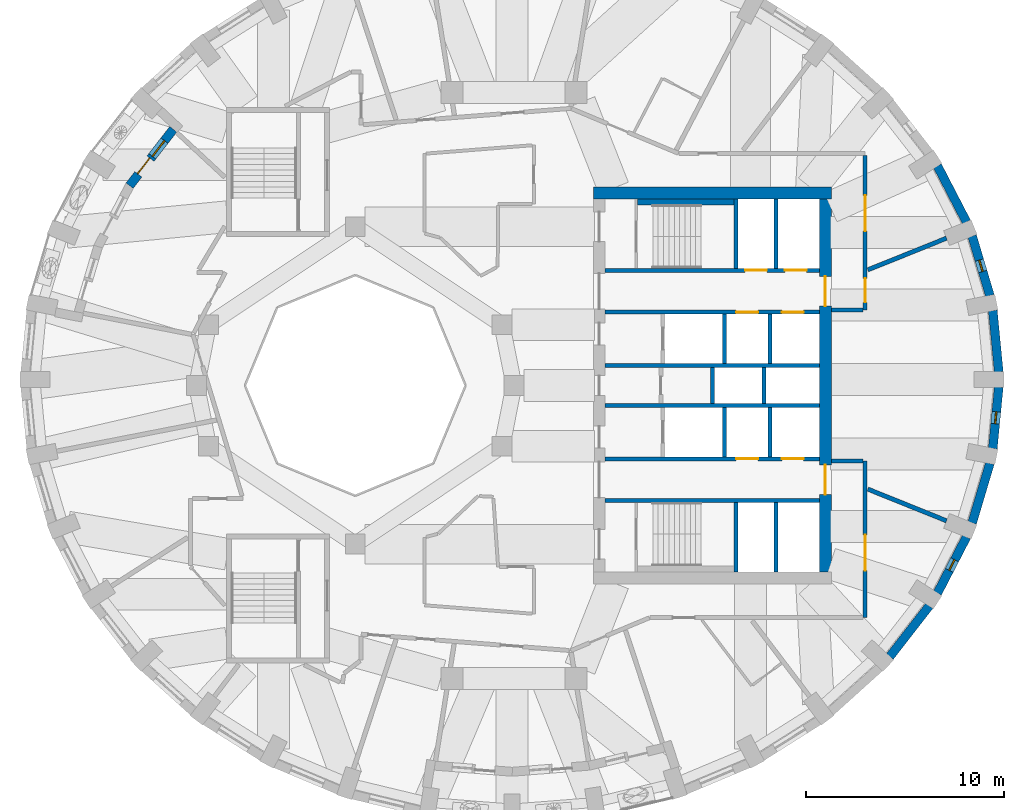
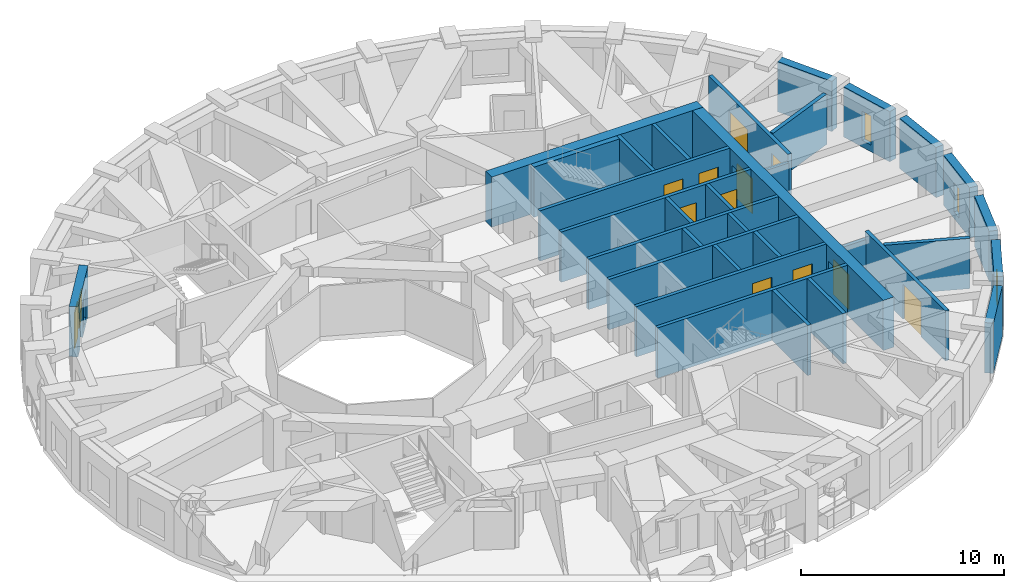
# One storey, part 6 of 12: 33 walls, 12 doors, 4 windows, 16 openings.
"""IFC4 building model written with IfcOpenShell, lengths in metres."""

from ifc_helpers import new_model, si_unit, direction, frame, frame_2d, origin, place, context, subcontext, project, spatial, rectangle, extrude, material, layer, layer_set, type_object, element, fill, save


model = new_model("IFC4")

# Units and contexts
model_context = context("Model", 3, precision=1e-05, world=origin(), true_north=direction((0.0, 1.0)))
body_context = subcontext(model_context, "Body", "Model", "MODEL_VIEW")
ifc_project = project(units=[si_unit("LENGTHUNIT", "METRE"), si_unit("AREAUNIT", "SQUARE_METRE"), si_unit("VOLUMEUNIT", "CUBIC_METRE"), si_unit("PLANEANGLEUNIT", "RADIAN"), si_unit("MASSUNIT", "GRAM", prefix="KILO")], contexts=[model_context])

# Site, building, storey
site_placement = place(None, origin())
site = spatial("IfcSite", under=ifc_project, at=site_placement, CompositionType="ELEMENT")
building_placement = place(site_placement, origin())
building = spatial("IfcBuilding", under=site, at=building_placement, Name="Taillehof Tower", CompositionType="ELEMENT")
storey_placement = place(building_placement, frame((0.0, 0.0, 246.5)))
storey = spatial("IfcBuildingStorey", under=building, at=storey_placement, Name="L70", CompositionType="ELEMENT", Elevation=246.5)

# Wall
ifc_material_1 = material(Name="Brick masonry", Category="masonry")
ifc_layer_1 = layer(ifc_material_1, 0.449951171875)
ifc_layer_set_1 = layer_set([ifc_layer_1], Name="Brick infill wall 450")
wall_type_1 = type_object("IfcWallType", Name="Brick infill wall 450", PredefinedType="SOLIDWALL", material=ifc_layer_set_1)
wall_1_placement = place(storey_placement, frame((24.43701171875, 0.68017578125, 0.0), z_axis=(0.0, 0.0, 1.0), x_axis=(-0.096740086873, 0.995309678237, 0.0)))
element("IfcWall", 1, at=wall_1_placement, inside=storey, type_object=wall_type_1, Name="Brick wall L70 bay 1", PredefinedType="SOLIDWALL", context=body_context, shape_type="SweptSolid", body=[
    extrude(rectangle(XDim=3.1142578125, YDim=0.449951171875, at=frame_2d((1.55712890625, 0.0))), origin(), (0.0, 0.0, 1.0), 3.02001953125),
])

# Wall, opening, window
wall_2_placement = place(storey_placement, frame((23.989990234375, 4.52587890625, 0.0), z_axis=(0.0, 0.0, 1.0), x_axis=(-0.285263800865, 0.958449040855, 0.0)))
wall_2 = element("IfcWall", 2, at=wall_2_placement, inside=storey, type_object=wall_type_1, Name="Brick wall L70 bay 2", PredefinedType="SOLIDWALL", context=body_context, shape_type="SweptSolid", body=[
    extrude(rectangle(XDim=3.13916015625, YDim=0.449951171875, at=frame_2d((1.569580078125, 0.0))), origin(), (0.0, 0.0, 1.0), 3.02001953125),
])
opening_1_placement = place(wall_2_placement, frame((1.26953125, 0.0, 0.39990234375)))
opening_1 = element("IfcOpeningElement", 3, at=opening_1_placement, cuts=wall_2, Name="Opening W6", PredefinedType="OPENING", context=body_context, shape_type="SweptSolid", body=[
    extrude(rectangle(XDim=0.60009765625, YDim=1.75, at=frame_2d((0.300048828125, 0.875))), frame((0.0, 0.23486328125, 0.0), z_axis=(0.0, -1.0, 0.0), x_axis=(1.0, 0.0, 0.0)), (0.0, 0.0, 1.0), 0.469970703125),
])
ifc_material_2 = material(Name="Aluminium window frame with clear double glazing", Category="aluminium")
window_type_1 = type_object("IfcWindowType", Name="Slot window 600x1750", PartitioningType="SINGLE_PANEL", PredefinedType="WINDOW", material=ifc_material_2)
window_1_placement = place(opening_1_placement, origin())
window_1 = element("IfcWindow", 4, at=window_1_placement, inside=storey, type_object=window_type_1, Name="W6", OverallHeight=1.75, OverallWidth=0.60009765625, PartitioningType="SINGLE_PANEL", PredefinedType="WINDOW", context=body_context, shape_type="SweptSolid", body=[
    extrude(rectangle(XDim=0.60009765625, YDim=1.75, at=frame_2d((0.300048828125, 0.875))), frame((0.0, 0.034912109375, 0.0), z_axis=(0.0, -1.0, 0.0), x_axis=(1.0, 0.0, 0.0)), (0.0, 0.0, 1.0), 0.06005859375),
])
fill(opening_1, window_1)

# Walls
wall_3_placement = place(storey_placement, frame((22.81005859375, 8.239501953125, 0.0), z_axis=(0.0, 0.0, 1.0), x_axis=(-0.459889857669, 0.887975967475, 0.0)))
element("IfcWall", 5, at=wall_3_placement, inside=storey, type_object=wall_type_1, Name="Brick wall L70 bay 3", PredefinedType="SOLIDWALL", context=body_context, shape_type="SweptSolid", body=[
    extrude(rectangle(XDim=3.185791015625, YDim=0.449951171875, at=frame_2d((1.5927734375, 0.0))), origin(), (0.0, 0.0, 1.0), 3.02001953125),
])
wall_4_placement = place(storey_placement, frame((18.941650390625, -13.671875, 0.0), z_axis=(0.0, 0.0, 1.0), x_axis=(0.613898970825, 0.789384604372, 0.0)))
element("IfcWall", 6, at=wall_4_placement, inside=storey, type_object=wall_type_1, Name="Brick wall L70 bay 33", PredefinedType="SOLIDWALL", context=body_context, shape_type="SweptSolid", body=[
    extrude(rectangle(XDim=3.2470703125, YDim=0.449951171875, at=frame_2d((1.62353515625, 0.0))), origin(), (0.0, 0.0, 1.0), 3.02001953125),
])

# Wall, opening, window
wall_5_placement = place(storey_placement, frame((21.344970703125, -10.46826171875, 0.0), z_axis=(0.0, 0.0, 1.0), x_axis=(0.459921155255, 0.887959757505, 0.0)))
wall_5 = element("IfcWall", 7, at=wall_5_placement, inside=storey, type_object=wall_type_1, Name="Brick wall L70 bay 34", PredefinedType="SOLIDWALL", context=body_context, shape_type="SweptSolid", body=[
    extrude(rectangle(XDim=3.185546875, YDim=0.449951171875, at=frame_2d((1.5927734375, 0.0))), origin(), (0.0, 0.0, 1.0), 3.02001953125),
])
opening_2_placement = place(wall_5_placement, frame((1.292724609375, 0.0, 0.39990234375)))
opening_2 = element("IfcOpeningElement", 8, at=opening_2_placement, cuts=wall_5, Name="Opening W6", PredefinedType="OPENING", context=body_context, shape_type="SweptSolid", body=[
    extrude(rectangle(XDim=0.60009765625, YDim=1.75, at=frame_2d((0.300048828125, 0.875))), frame((0.0, 0.23486328125, 0.0), z_axis=(0.0, -1.0, 0.0), x_axis=(1.0, 0.0, 0.0)), (0.0, 0.0, 1.0), 0.469970703125),
])
window_2_placement = place(opening_2_placement, origin())
window_2 = element("IfcWindow", 9, at=window_2_placement, inside=storey, type_object=window_type_1, Name="W6", OverallHeight=1.75, OverallWidth=0.60009765625, PartitioningType="SINGLE_PANEL", PredefinedType="WINDOW", context=body_context, shape_type="SweptSolid", body=[
    extrude(rectangle(XDim=0.60009765625, YDim=1.75, at=frame_2d((0.300048828125, 0.875))), frame((0.0, 0.034912109375, 0.0), z_axis=(0.0, -1.0, 0.0), x_axis=(1.0, 0.0, 0.0)), (0.0, 0.0, 1.0), 0.06005859375),
])
fill(opening_2, window_2)

# Wall
wall_6_placement = place(storey_placement, frame((23.094482421875, -6.9345703125, 0.0), z_axis=(0.0, 0.0, 1.0), x_axis=(0.285263800865, 0.958449040855, 0.0)))
element("IfcWall", 10, at=wall_6_placement, inside=storey, type_object=wall_type_1, Name="Brick wall L70 bay 35", PredefinedType="SOLIDWALL", context=body_context, shape_type="SweptSolid", body=[
    extrude(rectangle(XDim=3.13916015625, YDim=0.449951171875, at=frame_2d((1.569580078125, 0.0))), origin(), (0.0, 0.0, 1.0), 3.02001953125),
])

# Wall, opening, window
wall_7_placement = place(storey_placement, frame((24.1357421875, -3.179931640625, 0.0), z_axis=(0.0, 0.0, 1.0), x_axis=(0.09673253904, 0.995310411827, 0.0)))
wall_7 = element("IfcWall", 11, at=wall_7_placement, inside=storey, type_object=wall_type_1, Name="Brick wall L70 bay 36", PredefinedType="SOLIDWALL", context=body_context, shape_type="SweptSolid", body=[
    extrude(rectangle(XDim=3.114501953125, YDim=0.449951171875, at=frame_2d((1.55712890625, 0.0))), origin(), (0.0, 0.0, 1.0), 3.02001953125),
])
opening_3_placement = place(wall_7_placement, frame((1.257080078125, 0.0, 0.39990234375)))
opening_3 = element("IfcOpeningElement", 12, at=opening_3_placement, cuts=wall_7, Name="Opening W6", PredefinedType="OPENING", context=body_context, shape_type="SweptSolid", body=[
    extrude(rectangle(XDim=0.60009765625, YDim=1.75, at=frame_2d((0.300048828125, 0.875))), frame((0.0, 0.23486328125, 0.0), z_axis=(0.0, -1.0, 0.0), x_axis=(1.0, 0.0, 0.0)), (0.0, 0.0, 1.0), 0.469970703125),
])
window_3_placement = place(opening_3_placement, origin())
window_3 = element("IfcWindow", 13, at=window_3_placement, inside=storey, type_object=window_type_1, Name="W6", OverallHeight=1.75, OverallWidth=0.60009765625, PartitioningType="SINGLE_PANEL", PredefinedType="WINDOW", context=body_context, shape_type="SweptSolid", body=[
    extrude(rectangle(XDim=0.60009765625, YDim=1.75, at=frame_2d((0.300048828125, 0.875))), frame((0.0, 0.034912109375, 0.0), z_axis=(0.0, -1.0, 0.0), x_axis=(1.0, 0.0, 0.0)), (0.0, 0.0, 1.0), 0.06005859375),
])
fill(opening_3, window_3)

# Wall, openings, door, window
wall_8_placement = place(storey_placement, frame((-17.174072265625, 12.9111328125, 0.0), z_axis=(0.0, 0.0, 1.0), x_axis=(-0.612774197557, -0.79025804824, 0.0)))
wall_8 = element("IfcWall", 14, at=wall_8_placement, inside=storey, type_object=wall_type_1, Name="Brick wall L70 pocket bay 15", PredefinedType="SOLIDWALL", context=body_context, shape_type="SweptSolid", body=[
    extrude(rectangle(XDim=3.595703125, YDim=0.449951171875, at=frame_2d((1.7978515625, 0.0))), origin(), (0.0, 0.0, 1.0), 3.02001953125),
])
opening_4_placement = place(wall_8_placement, frame((0.722900390625, 0.0, 0.39990234375)))
opening_4 = element("IfcOpeningElement", 15, at=opening_4_placement, cuts=wall_8, Name="Opening W5", PredefinedType="OPENING", context=body_context, shape_type="SweptSolid", body=[
    extrude(rectangle(XDim=1.0, YDim=1.75, at=frame_2d((0.5, 0.875))), frame((0.0, 0.23486328125, 0.0), z_axis=(0.0, -1.0, 0.0), x_axis=(1.0, 0.0, 0.0)), (0.0, 0.0, 1.0), 0.469970703125),
])
opening_5_placement = place(wall_8_placement, frame((1.872802734375, 0.0, 0.0)))
opening_5 = element("IfcOpeningElement", 16, at=opening_5_placement, cuts=wall_8, Name="Opening D7094", PredefinedType="OPENING", context=body_context, shape_type="SweptSolid", body=[
    extrude(rectangle(XDim=1.0, YDim=2.14990234375, at=frame_2d((0.5, 1.074951171875))), frame((0.0, 0.23486328125, 0.0), z_axis=(0.0, -1.0, 0.0), x_axis=(1.0, 0.0, 0.0)), (0.0, 0.0, 1.0), 0.469970703125),
])
ifc_material_3 = material(Name="Aluminium door frame with clear double glazing", Category="aluminium")
door_type_1 = type_object("IfcDoorType", Name="Balcony door 1000x2150", OperationType="SINGLE_SWING_RIGHT", PredefinedType="DOOR", material=ifc_material_3)
door_1_placement = place(opening_5_placement, frame((1.0, 0.0, 0.0), z_axis=(0.0, 0.0, 1.0), x_axis=(-1.0, 0.0, 0.0)))
door_1 = element("IfcDoor", 17, at=door_1_placement, inside=storey, type_object=door_type_1, Name="Balcony door L70 bay 15", OperationType="SINGLE_SWING_RIGHT", OverallHeight=2.14990234375, OverallWidth=1.0, PredefinedType="DOOR", context=body_context, shape_type="SweptSolid", body=[
    extrude(rectangle(XDim=1.0, YDim=2.14990234375, at=frame_2d((0.5, 1.074951171875))), frame((0.0, 0.0751953125, 0.0), z_axis=(0.0, -1.0, 0.0), x_axis=(1.0, 0.0, 0.0)), (0.0, 0.0, 1.0), 0.050048828125),
])
fill(opening_5, door_1)
ifc_material_4 = material(Name="Aluminium window frame with clear double glazing", Category="aluminium")
window_type_2 = type_object("IfcWindowType", Name="Fixed window 1000x1750", PartitioningType="SINGLE_PANEL", PredefinedType="WINDOW", material=ifc_material_4)
window_4_placement = place(opening_4_placement, origin())
window_4 = element("IfcWindow", 18, at=window_4_placement, inside=storey, type_object=window_type_2, Name="W5", OverallHeight=1.75, OverallWidth=1.0, PartitioningType="SINGLE_PANEL", PredefinedType="WINDOW", context=body_context, shape_type="SweptSolid", body=[
    extrude(rectangle(XDim=1.0, YDim=1.75, at=frame_2d((0.5, 0.875))), frame((0.0, 0.034912109375, 0.0), z_axis=(0.0, -1.0, 0.0), x_axis=(1.0, 0.0, 0.0)), (0.0, 0.0, 1.0), 0.06005859375),
])
fill(opening_4, window_4)

# Walls
ifc_material_5 = material(Name="Calcium silicate masonry", Category="masonry")
ifc_layer_2 = layer(ifc_material_5, 0.199951171875)
ifc_layer_set_2 = layer_set([ifc_layer_2], Name="Compartment wall calcium silicate 200")
wall_type_2 = type_object("IfcWallType", Name="Compartment wall calcium silicate 200", PredefinedType="PARTITIONING", material=ifc_layer_set_2)
for number, where, z_axis, x_axis, name in (
    (19, (10.0, -0.89990234375, 0.0), (0.0, 0.0, 1.0), (0.0, 1.0, 0.0), "Compartment wall FW"),
    (20, (12.60009765625, -0.89990234375, 0.0), (0.0, 0.0, 1.0), (0.0, 1.0, 0.0), "Compartment wall FW"),
):
    element("IfcWall", number, at=place(storey_placement, frame(where, z_axis=z_axis, x_axis=x_axis)), inside=storey, type_object=wall_type_2, Name=name, PredefinedType="PARTITIONING", context=body_context, shape_type="SweptSolid", body=[
        extrude(rectangle(XDim=1.7998046875, YDim=0.199951171875, at=frame_2d((0.89990234375, 0.0))), origin(), (0.0, 0.0, 1.0), 3.02001953125),
    ])

# Wall, opening, door
ifc_material_6 = material(Name="Gypsum board on steel studs, two layers each side", Category="steel")
ifc_layer_3 = layer(ifc_material_6, 0.199951171875)
ifc_layer_set_3 = layer_set([ifc_layer_3], Name="Compartment wall corridor 200")
wall_type_3 = type_object("IfcWallType", Name="Compartment wall corridor 200", PredefinedType="PARTITIONING", material=ifc_layer_set_3)
wall_9_placement = place(storey_placement, frame((17.699951171875, -3.800048828125, 0.0), z_axis=(0.0, 0.0, 1.0), x_axis=(0.0, -1.0, 0.0)))
wall_9 = element("IfcWall", 21, at=wall_9_placement, inside=storey, type_object=wall_type_3, Name="Compartment wall", PredefinedType="PARTITIONING", context=body_context, shape_type="SweptSolid", body=[
    extrude(rectangle(XDim=7.89990234375, YDim=0.199951171875, at=frame_2d((3.949951171875, 0.0))), origin(), (0.0, 0.0, 1.0), 3.02001953125),
])
opening_6_placement = place(wall_9_placement, frame((3.72998046875, 0.0, 0.0)))
opening_6 = element("IfcOpeningElement", 22, at=opening_6_placement, cuts=wall_9, Name="Opening D7056", PredefinedType="OPENING", context=body_context, shape_type="SweptSolid", body=[
    extrude(rectangle(XDim=1.800048828125, YDim=2.10009765625, at=frame_2d((0.89990234375, 1.050048828125))), frame((0.0, 0.10986328125, 0.0), z_axis=(0.0, -1.0, 0.0), x_axis=(1.0, 0.0, 0.0)), (0.0, 0.0, 1.0), 0.219970703125),
])
ifc_material_7 = material(Name="Timber door leaf in steel frame", Category="steel")
door_type_2 = type_object("IfcDoorType", Name="Lounge and meeting room double door EI 30 1800 x 2100", OperationType="SINGLE_SWING_LEFT", PredefinedType="DOOR", material=ifc_material_7)
door_2_placement = place(opening_6_placement, origin())
door_2 = element("IfcDoor", 23, at=door_2_placement, inside=storey, type_object=door_type_2, Name="D7056", OperationType="DOUBLE_DOOR_SINGLE_SWING", OverallHeight=2.10009765625, OverallWidth=1.800048828125, PredefinedType="DOOR", context=body_context, shape_type="SweptSolid", body=[
    extrude(rectangle(XDim=1.800048828125, YDim=2.10009765625, at=frame_2d((0.89990234375, 1.050048828125))), frame((0.0, 0.02490234375, 0.0), z_axis=(0.0, -1.0, 0.0), x_axis=(1.0, 0.0, 0.0)), (0.0, 0.0, 1.0), 0.050048828125),
])
fill(opening_6, door_2)

# Wall, openings, doors
wall_10_placement = place(storey_placement, frame((17.699951171875, 11.599853515625, 0.0), z_axis=(0.0, 0.0, 1.0), x_axis=(0.0, -1.0, 0.0)))
wall_10 = element("IfcWall", 24, at=wall_10_placement, inside=storey, type_object=wall_type_3, Name="Compartment wall", PredefinedType="PARTITIONING", context=body_context, shape_type="SweptSolid", body=[
    extrude(rectangle(XDim=7.7998046875, YDim=0.199951171875, at=frame_2d((3.89990234375, 0.0))), origin(), (0.0, 0.0, 1.0), 3.02001953125),
])
opening_7_placement = place(wall_10_placement, frame((6.208984375, 0.0, 0.0)))
opening_7 = element("IfcOpeningElement", 25, at=opening_7_placement, cuts=wall_10, Name="Opening D7057", PredefinedType="OPENING", context=body_context, shape_type="SweptSolid", body=[
    extrude(rectangle(XDim=1.199951171875, YDim=2.10009765625, at=frame_2d((0.60009765625, 1.050048828125))), frame((0.0, 0.10986328125, 0.0), z_axis=(0.0, -1.0, 0.0), x_axis=(1.0, 0.0, 0.0)), (0.0, 0.0, 1.0), 0.219970703125),
])
opening_8_placement = place(wall_10_placement, frame((2.02001953125, 0.0, 0.0)))
opening_8 = element("IfcOpeningElement", 26, at=opening_8_placement, cuts=wall_10, Name="Opening D7058", PredefinedType="OPENING", context=body_context, shape_type="SweptSolid", body=[
    extrude(rectangle(XDim=1.800048828125, YDim=2.10009765625, at=frame_2d((0.89990234375, 1.050048828125))), frame((0.0, 0.10986328125, 0.0), z_axis=(0.0, -1.0, 0.0), x_axis=(1.0, 0.0, 0.0)), (0.0, 0.0, 1.0), 0.219970703125),
])
door_3_placement = place(opening_8_placement, origin())
door_3 = element("IfcDoor", 27, at=door_3_placement, inside=storey, type_object=door_type_2, Name="D7058", OperationType="DOUBLE_DOOR_SINGLE_SWING", OverallHeight=2.10009765625, OverallWidth=1.800048828125, PredefinedType="DOOR", context=body_context, shape_type="SweptSolid", body=[
    extrude(rectangle(XDim=1.800048828125, YDim=2.10009765625, at=frame_2d((0.89990234375, 1.050048828125))), frame((0.0, 0.02490234375, 0.0), z_axis=(0.0, -1.0, 0.0), x_axis=(1.0, 0.0, 0.0)), (0.0, 0.0, 1.0), 0.050048828125),
])
fill(opening_8, door_3)
ifc_material_8 = material(Name="Timber door leaf in steel frame", Category="steel")
door_type_3 = type_object("IfcDoorType", Name="Suite entrance door EI 30 1200 x 2100", OperationType="SINGLE_SWING_LEFT", PredefinedType="DOOR", material=ifc_material_8)
door_4_placement = place(opening_7_placement, origin())
door_4 = element("IfcDoor", 28, at=door_4_placement, inside=storey, type_object=door_type_3, Name="D7057", OperationType="SINGLE_SWING_LEFT", OverallHeight=2.10009765625, OverallWidth=1.199951171875, PredefinedType="DOOR", context=body_context, shape_type="SweptSolid", body=[
    extrude(rectangle(XDim=1.199951171875, YDim=2.10009765625, at=frame_2d((0.60009765625, 1.050048828125))), frame((0.0, 0.02490234375, 0.0), z_axis=(0.0, -1.0, 0.0), x_axis=(1.0, 0.0, 0.0)), (0.0, 0.0, 1.0), 0.050048828125),
])
fill(opening_7, door_4)

# Walls
for number, where, z_axis, x_axis, name in (
    (29, (17.599853515625, 3.800048828125, 0.0), (0.0, 0.0, 1.0), (-1.0, 0.0, 0.0), "Compartment wall"),
    (30, (16.00390625, -3.800048828125, 0.0), (0.0, 0.0, 1.0), (1.0, 0.0, 0.0), "Compartment wall"),
):
    element("IfcWall", number, at=place(storey_placement, frame(where, z_axis=z_axis, x_axis=x_axis)), inside=storey, type_object=wall_type_3, Name=name, PredefinedType="PARTITIONING", context=body_context, shape_type="SweptSolid", body=[
        extrude(rectangle(XDim=1.595947265625, YDim=0.199951171875, at=frame_2d((0.7978515625, 0.0))), origin(), (0.0, 0.0, 1.0), 2.570068359375),
    ])
ifc_material_9 = material(Name="Gypsum board on double steel studs with mineral wool", Category="steel")
ifc_layer_4 = layer(ifc_material_9, 0.219970703125)
ifc_layer_set_4 = layer_set([ifc_layer_4], Name="Compartment wall guest room 220")
wall_type_4 = type_object("IfcWallType", Name="Compartment wall guest room 220", PredefinedType="PARTITIONING", material=ifc_layer_set_4)
for number, where, z_axis, x_axis, name in (
    (31, (21.803955078125, 7.42431640625, 0.0), (0.0, 0.0, 1.0), (-0.927552565226, -0.373692706301, 0.0), "Compartment wall"),
    (32, (21.803955078125, -6.824462890625, 0.0), (0.0, 0.0, 1.0), (-0.92753277681, 0.373741819902, 0.0), "Compartment wall"),
):
    element("IfcWall", number, at=place(storey_placement, frame(where, z_axis=z_axis, x_axis=x_axis)), inside=storey, type_object=wall_type_4, Name=name, PredefinedType="PARTITIONING", context=body_context, shape_type="SweptSolid", body=[
        extrude(rectangle(XDim=4.276611328125, YDim=0.219970703125, at=frame_2d((2.13818359375, 0.0))), origin(), (0.0, 0.0, 1.0), 3.02001953125),
    ])
ifc_material_10 = material(Name="Calcium silicate masonry", Category="masonry")
ifc_layer_5 = layer(ifc_material_10, 0.300048828125)
ifc_layer_set_5 = layer_set([ifc_layer_5], Name="Compartment wall lining calcium silicate 300")
wall_type_5 = type_object("IfcWallType", Name="Compartment wall lining calcium silicate 300", PredefinedType="PARTITIONING", material=ifc_layer_set_5)
wall_11_placement = place(storey_placement, frame((6.219970703125, 9.25, 0.0), z_axis=(0.0, 0.0, 1.0), x_axis=(1.0, 0.0, 0.0)))
element("IfcWall", 33, at=wall_11_placement, inside=storey, type_object=wall_type_5, Name="Compartment wall FW", PredefinedType="PARTITIONING", context=body_context, shape_type="SweptSolid", body=[
    extrude(rectangle(XDim=4.880126953125, YDim=0.300048828125, at=frame_2d((2.43994140625, 0.0))), origin(), (0.0, 0.0, 1.0), 3.02001953125),
])

# Wall, openings, doors
ifc_material_11 = material(Name="Concrete C80/95", Category="concrete")
ifc_layer_6 = layer(ifc_material_11, 0.60009765625)
ifc_layer_set_6 = layer_set([ifc_layer_6], Name="Core wall C80/95 600")
wall_type_6 = type_object("IfcWallType", Name="Core wall C80/95 600", PredefinedType="SHEAR", material=ifc_layer_set_6)
wall_12_placement = place(storey_placement, frame((15.699951171875, -9.39990234375, 0.0), z_axis=(0.0, 0.0, 1.0), x_axis=(0.0, 1.0, 0.0)))
wall_12 = element("IfcWall", 34, at=wall_12_placement, inside=storey, type_object=wall_type_6, Name="Core wall CW05", PredefinedType="SHEAR", context=body_context, shape_type="SweptSolid", body=[
    extrude(rectangle(XDim=18.7998046875, YDim=0.60009765625, at=frame_2d((9.39990234375, 0.0))), origin(), (0.0, 0.0, 1.0), 3.02001953125),
])
opening_9_placement = place(wall_12_placement, frame((13.39990234375, 0.0, 0.0)))
opening_9 = element("IfcOpeningElement", 35, at=opening_9_placement, cuts=wall_12, Name="Opening D7008", PredefinedType="OPENING", context=body_context, shape_type="SweptSolid", body=[
    extrude(rectangle(XDim=1.5, YDim=2.10009765625, at=frame_2d((0.75, 1.050048828125))), frame((0.0, 0.31005859375, 0.0), z_axis=(0.0, -1.0, 0.0), x_axis=(1.0, 0.0, 0.0)), (0.0, 0.0, 1.0), 0.6201171875),
])
opening_10_placement = place(wall_12_placement, frame((3.89990234375, 0.0, 0.0)))
opening_10 = element("IfcOpeningElement", 36, at=opening_10_placement, cuts=wall_12, Name="Opening D7009", PredefinedType="OPENING", context=body_context, shape_type="SweptSolid", body=[
    extrude(rectangle(XDim=1.5, YDim=2.10009765625, at=frame_2d((0.75, 1.050048828125))), frame((0.0, 0.31005859375, 0.0), z_axis=(0.0, -1.0, 0.0), x_axis=(1.0, 0.0, 0.0)), (0.0, 0.0, 1.0), 0.6201171875),
])
ifc_material_12 = material(Name="Steel-faced fire door", Category="steel")
door_type_4 = type_object("IfcDoorType", Name="Lift lobby east door 1500x2100", OperationType="DOUBLE_DOOR_SINGLE_SWING", PredefinedType="DOOR", material=ifc_material_12)
door_5_placement = place(opening_9_placement, origin())
door_5 = element("IfcDoor", 37, at=door_5_placement, inside=storey, type_object=door_type_4, Name="Lift lobby east door north", OperationType="DOUBLE_DOOR_SINGLE_SWING", OverallHeight=2.10009765625, OverallWidth=1.5, PredefinedType="DOOR", context=body_context, shape_type="SweptSolid", body=[
    extrude(rectangle(XDim=1.5, YDim=2.10009765625, at=frame_2d((0.75, 1.050048828125))), frame((0.0, 0.02490234375, 0.0), z_axis=(0.0, -1.0, 0.0), x_axis=(1.0, 0.0, 0.0)), (0.0, 0.0, 1.0), 0.050048828125),
])
fill(opening_9, door_5)
door_6_placement = place(opening_10_placement, origin())
door_6 = element("IfcDoor", 38, at=door_6_placement, inside=storey, type_object=door_type_4, Name="Lift lobby east door south", OperationType="DOUBLE_DOOR_SINGLE_SWING", OverallHeight=2.10009765625, OverallWidth=1.5, PredefinedType="DOOR", context=body_context, shape_type="SweptSolid", body=[
    extrude(rectangle(XDim=1.5, YDim=2.10009765625, at=frame_2d((0.75, 1.050048828125))), frame((0.0, 0.02490234375, 0.0), z_axis=(0.0, -1.0, 0.0), x_axis=(1.0, 0.0, 0.0)), (0.0, 0.0, 1.0), 0.050048828125),
])
fill(opening_10, door_6)

# Wall
wall_13_placement = place(storey_placement, frame((4.0, 9.699951171875, 0.0), z_axis=(0.0, 0.0, 1.0), x_axis=(1.0, 0.0, 0.0)))
element("IfcWall", 39, at=wall_13_placement, inside=storey, type_object=wall_type_6, Name="Core wall CW06", PredefinedType="SHEAR", context=body_context, shape_type="SweptSolid", body=[
    extrude(rectangle(XDim=12.0, YDim=0.60009765625, at=frame_2d((6.0, 0.0))), origin(), (0.0, 0.0, 1.0), 3.02001953125),
])

# Wall, openings, doors
ifc_material_13 = material(Name="Concrete C50/60", Category="concrete")
ifc_layer_7 = layer(ifc_material_13, 0.199951171875)
ifc_layer_set_7 = layer_set([ifc_layer_7], Name="Shaft wall C50/60 200")
wall_type_7 = type_object("IfcWallType", Name="Shaft wall C50/60 200", PredefinedType="SHEAR", material=ifc_layer_set_7)
wall_14_placement = place(storey_placement, frame((4.60009765625, 5.800048828125, 0.0), z_axis=(0.0, 0.0, 1.0), x_axis=(1.0, 0.0, 0.0)))
wall_14 = element("IfcWall", 40, at=wall_14_placement, inside=storey, type_object=wall_type_7, Name="Shaft wall SW", PredefinedType="SHEAR", context=body_context, shape_type="SweptSolid", body=[
    extrude(rectangle(XDim=10.7998046875, YDim=0.199951171875, at=frame_2d((5.39990234375, 0.0))), origin(), (0.0, 0.0, 1.0), 3.02001953125),
])
opening_11_placement = place(wall_14_placement, frame((7.050048828125, 0.0, 0.0)))
opening_11 = element("IfcOpeningElement", 41, at=opening_11_placement, cuts=wall_14, Name="Opening LD1", PredefinedType="OPENING", context=body_context, shape_type="SweptSolid", body=[
    extrude(rectangle(XDim=1.10009765625, YDim=2.10009765625, at=frame_2d((0.550048828125, 1.050048828125))), frame((0.0, 0.10986328125, 0.0), z_axis=(0.0, -1.0, 0.0), x_axis=(1.0, 0.0, 0.0)), (0.0, 0.0, 1.0), 0.219970703125),
])
opening_12_placement = place(wall_14_placement, frame((9.050048828125, 0.0, 0.0)))
opening_12 = element("IfcOpeningElement", 42, at=opening_12_placement, cuts=wall_14, Name="Opening LD1", PredefinedType="OPENING", context=body_context, shape_type="SweptSolid", body=[
    extrude(rectangle(XDim=1.10009765625, YDim=2.10009765625, at=frame_2d((0.550048828125, 1.050048828125))), frame((0.0, 0.10986328125, 0.0), z_axis=(0.0, -1.0, 0.0), x_axis=(1.0, 0.0, 0.0)), (0.0, 0.0, 1.0), 0.219970703125),
])
ifc_material_14 = material(Name="Stainless steel", Category="steel")
door_type_5 = type_object("IfcDoorType", Name="Lift landing door LD1 1100x2100", OperationType="DOUBLE_DOOR_SLIDING", PredefinedType="DOOR", material=ifc_material_14)
door_7_placement = place(opening_11_placement, origin())
door_7 = element("IfcDoor", 43, at=door_7_placement, inside=storey, type_object=door_type_5, Name="Landing door HR1", OperationType="DOUBLE_DOOR_SLIDING", OverallHeight=2.10009765625, OverallWidth=1.10009765625, PredefinedType="DOOR", context=body_context, shape_type="SweptSolid", body=[
    extrude(rectangle(XDim=1.10009765625, YDim=2.10009765625, at=frame_2d((0.550048828125, 1.050048828125))), frame((0.0, 0.02490234375, 0.0), z_axis=(0.0, -1.0, 0.0), x_axis=(1.0, 0.0, 0.0)), (0.0, 0.0, 1.0), 0.050048828125),
])
fill(opening_11, door_7)
door_8_placement = place(opening_12_placement, origin())
door_8 = element("IfcDoor", 44, at=door_8_placement, inside=storey, type_object=door_type_5, Name="Landing door HR2", OperationType="DOUBLE_DOOR_SLIDING", OverallHeight=2.10009765625, OverallWidth=1.10009765625, PredefinedType="DOOR", context=body_context, shape_type="SweptSolid", body=[
    extrude(rectangle(XDim=1.10009765625, YDim=2.10009765625, at=frame_2d((0.550048828125, 1.050048828125))), frame((0.0, 0.02490234375, 0.0), z_axis=(0.0, -1.0, 0.0), x_axis=(1.0, 0.0, 0.0)), (0.0, 0.0, 1.0), 0.050048828125),
])
fill(opening_12, door_8)

wall_15_placement = place(storey_placement, frame((4.60009765625, 3.699951171875, 0.0), z_axis=(0.0, 0.0, 1.0), x_axis=(1.0, 0.0, 0.0)))
wall_15 = element("IfcWall", 45, at=wall_15_placement, inside=storey, type_object=wall_type_7, Name="Shaft wall SW", PredefinedType="SHEAR", context=body_context, shape_type="SweptSolid", body=[
    extrude(rectangle(XDim=10.7998046875, YDim=0.199951171875, at=frame_2d((5.39990234375, 0.0))), origin(), (0.0, 0.0, 1.0), 3.02001953125),
])
opening_13_placement = place(wall_15_placement, frame((6.60009765625, 0.0, 0.0)))
opening_13 = element("IfcOpeningElement", 46, at=opening_13_placement, cuts=wall_15, Name="Opening LD1", PredefinedType="OPENING", context=body_context, shape_type="SweptSolid", body=[
    extrude(rectangle(XDim=1.10009765625, YDim=2.10009765625, at=frame_2d((0.550048828125, 1.050048828125))), frame((0.0, 0.10986328125, 0.0), z_axis=(0.0, -1.0, 0.0), x_axis=(1.0, 0.0, 0.0)), (0.0, 0.0, 1.0), 0.219970703125),
])
opening_14_placement = place(wall_15_placement, frame((8.89990234375, 0.0, 0.0)))
opening_14 = element("IfcOpeningElement", 47, at=opening_14_placement, cuts=wall_15, Name="Opening LD1", PredefinedType="OPENING", context=body_context, shape_type="SweptSolid", body=[
    extrude(rectangle(XDim=1.10009765625, YDim=2.10009765625, at=frame_2d((0.550048828125, 1.050048828125))), frame((0.0, 0.10986328125, 0.0), z_axis=(0.0, -1.0, 0.0), x_axis=(1.0, 0.0, 0.0)), (0.0, 0.0, 1.0), 0.219970703125),
])
door_9_placement = place(opening_13_placement, origin())
door_9 = element("IfcDoor", 48, at=door_9_placement, inside=storey, type_object=door_type_5, Name="Landing door HR3", OperationType="DOUBLE_DOOR_SLIDING", OverallHeight=2.10009765625, OverallWidth=1.10009765625, PredefinedType="DOOR", context=body_context, shape_type="SweptSolid", body=[
    extrude(rectangle(XDim=1.10009765625, YDim=2.10009765625, at=frame_2d((0.550048828125, 1.050048828125))), frame((0.0, 0.02490234375, 0.0), z_axis=(0.0, -1.0, 0.0), x_axis=(1.0, 0.0, 0.0)), (0.0, 0.0, 1.0), 0.050048828125),
])
fill(opening_13, door_9)
door_10_placement = place(opening_14_placement, origin())
door_10 = element("IfcDoor", 49, at=door_10_placement, inside=storey, type_object=door_type_5, Name="Landing door HR4", OperationType="DOUBLE_DOOR_SLIDING", OverallHeight=2.10009765625, OverallWidth=1.10009765625, PredefinedType="DOOR", context=body_context, shape_type="SweptSolid", body=[
    extrude(rectangle(XDim=1.10009765625, YDim=2.10009765625, at=frame_2d((0.550048828125, 1.050048828125))), frame((0.0, 0.02490234375, 0.0), z_axis=(0.0, -1.0, 0.0), x_axis=(1.0, 0.0, 0.0)), (0.0, 0.0, 1.0), 0.050048828125),
])
fill(opening_14, door_10)

# Walls
for number, where, z_axis, x_axis, name in (
    (50, (4.60009765625, 1.0, 0.0), (0.0, 0.0, 1.0), (1.0, 0.0, 0.0), "Shaft wall SW"),
    (51, (4.60009765625, -1.0, 0.0), (0.0, 0.0, 1.0), (1.0, 0.0, 0.0), "Shaft wall SW"),
):
    element("IfcWall", number, at=place(storey_placement, frame(where, z_axis=z_axis, x_axis=x_axis)), inside=storey, type_object=wall_type_7, Name=name, PredefinedType="SHEAR", context=body_context, shape_type="SweptSolid", body=[
        extrude(rectangle(XDim=10.7998046875, YDim=0.199951171875, at=frame_2d((5.39990234375, 0.0))), origin(), (0.0, 0.0, 1.0), 3.02001953125),
    ])

# Wall, openings, doors
wall_16_placement = place(storey_placement, frame((4.60009765625, -3.699951171875, 0.0), z_axis=(0.0, 0.0, 1.0), x_axis=(1.0, 0.0, 0.0)))
wall_16 = element("IfcWall", 52, at=wall_16_placement, inside=storey, type_object=wall_type_7, Name="Shaft wall SW", PredefinedType="SHEAR", context=body_context, shape_type="SweptSolid", body=[
    extrude(rectangle(XDim=10.7998046875, YDim=0.199951171875, at=frame_2d((5.39990234375, 0.0))), origin(), (0.0, 0.0, 1.0), 3.02001953125),
])
opening_15_placement = place(wall_16_placement, frame((6.60009765625, 0.0, 0.0)))
opening_15 = element("IfcOpeningElement", 53, at=opening_15_placement, cuts=wall_16, Name="Opening LD1", PredefinedType="OPENING", context=body_context, shape_type="SweptSolid", body=[
    extrude(rectangle(XDim=1.10009765625, YDim=2.10009765625, at=frame_2d((0.550048828125, 1.050048828125))), frame((0.0, 0.10986328125, 0.0), z_axis=(0.0, -1.0, 0.0), x_axis=(1.0, 0.0, 0.0)), (0.0, 0.0, 1.0), 0.219970703125),
])
opening_16_placement = place(wall_16_placement, frame((8.89990234375, 0.0, 0.0)))
opening_16 = element("IfcOpeningElement", 54, at=opening_16_placement, cuts=wall_16, Name="Opening LD1", PredefinedType="OPENING", context=body_context, shape_type="SweptSolid", body=[
    extrude(rectangle(XDim=1.10009765625, YDim=2.10009765625, at=frame_2d((0.550048828125, 1.050048828125))), frame((0.0, 0.10986328125, 0.0), z_axis=(0.0, -1.0, 0.0), x_axis=(1.0, 0.0, 0.0)), (0.0, 0.0, 1.0), 0.219970703125),
])
door_11_placement = place(opening_15_placement, origin())
door_11 = element("IfcDoor", 55, at=door_11_placement, inside=storey, type_object=door_type_5, Name="Landing door HR5", OperationType="DOUBLE_DOOR_SLIDING", OverallHeight=2.10009765625, OverallWidth=1.10009765625, PredefinedType="DOOR", context=body_context, shape_type="SweptSolid", body=[
    extrude(rectangle(XDim=1.10009765625, YDim=2.10009765625, at=frame_2d((0.550048828125, 1.050048828125))), frame((0.0, 0.02490234375, 0.0), z_axis=(0.0, -1.0, 0.0), x_axis=(1.0, 0.0, 0.0)), (0.0, 0.0, 1.0), 0.050048828125),
])
fill(opening_15, door_11)
door_12_placement = place(opening_16_placement, origin())
door_12 = element("IfcDoor", 56, at=door_12_placement, inside=storey, type_object=door_type_5, Name="Landing door HR6", OperationType="DOUBLE_DOOR_SLIDING", OverallHeight=2.10009765625, OverallWidth=1.10009765625, PredefinedType="DOOR", context=body_context, shape_type="SweptSolid", body=[
    extrude(rectangle(XDim=1.10009765625, YDim=2.10009765625, at=frame_2d((0.550048828125, 1.050048828125))), frame((0.0, 0.02490234375, 0.0), z_axis=(0.0, -1.0, 0.0), x_axis=(1.0, 0.0, 0.0)), (0.0, 0.0, 1.0), 0.050048828125),
])
fill(opening_16, door_12)

# Walls
wall_17_placement = place(storey_placement, frame((4.60009765625, -5.800048828125, 0.0), z_axis=(0.0, 0.0, 1.0), x_axis=(1.0, 0.0, 0.0)))
element("IfcWall", 57, at=wall_17_placement, inside=storey, type_object=wall_type_7, Name="Shaft wall SW", PredefinedType="SHEAR", context=body_context, shape_type="SweptSolid", body=[
    extrude(rectangle(XDim=10.7998046875, YDim=0.199951171875, at=frame_2d((5.39990234375, 0.0))), origin(), (0.0, 0.0, 1.0), 3.02001953125),
])
for number, where, z_axis, x_axis, name in (
    (58, (11.199951171875, 5.89990234375, 0.0), (0.0, 0.0, 1.0), (0.0, 1.0, 0.0), "Shaft wall SW"),
    (59, (11.199951171875, -9.39990234375, 0.0), (0.0, 0.0, 1.0), (0.0, 1.0, 0.0), "Shaft wall SW"),
    (60, (13.199951171875, 5.89990234375, 0.0), (0.0, 0.0, 1.0), (0.0, 1.0, 0.0), "Shaft wall SW"),
    (61, (13.199951171875, -9.39990234375, 0.0), (0.0, 0.0, 1.0), (0.0, 1.0, 0.0), "Shaft wall SW"),
):
    element("IfcWall", number, at=place(storey_placement, frame(where, z_axis=z_axis, x_axis=x_axis)), inside=storey, type_object=wall_type_7, Name=name, PredefinedType="SHEAR", context=body_context, shape_type="SweptSolid", body=[
        extrude(rectangle(XDim=3.5, YDim=0.199951171875, at=frame_2d((1.75, 0.0))), origin(), (0.0, 0.0, 1.0), 3.02001953125),
    ])
for number, where, z_axis, x_axis, name in (
    (62, (10.60009765625, 1.10009765625, 0.0), (0.0, 0.0, 1.0), (0.0, 1.0, 0.0), "Shaft wall SW"),
    (63, (10.60009765625, -3.60009765625, 0.0), (0.0, 0.0, 1.0), (0.0, 1.0, 0.0), "Shaft wall SW"),
    (64, (12.89990234375, 1.10009765625, 0.0), (0.0, 0.0, 1.0), (0.0, 1.0, 0.0), "Shaft wall SW"),
    (65, (12.89990234375, -3.60009765625, 0.0), (0.0, 0.0, 1.0), (0.0, 1.0, 0.0), "Shaft wall SW"),
):
    element("IfcWall", number, at=place(storey_placement, frame(where, z_axis=z_axis, x_axis=x_axis)), inside=storey, type_object=wall_type_7, Name=name, PredefinedType="SHEAR", context=body_context, shape_type="SweptSolid", body=[
        extrude(rectangle(XDim=2.5, YDim=0.199951171875, at=frame_2d((1.25, 0.0))), origin(), (0.0, 0.0, 1.0), 3.02001953125),
    ])

save(model, "model.ifc")
